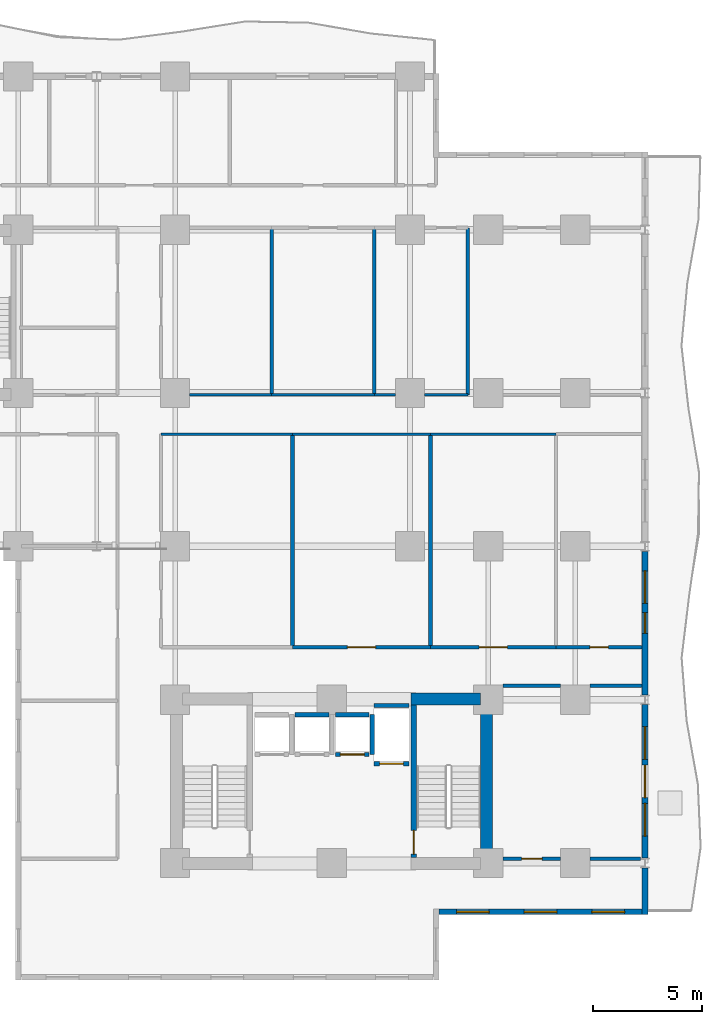
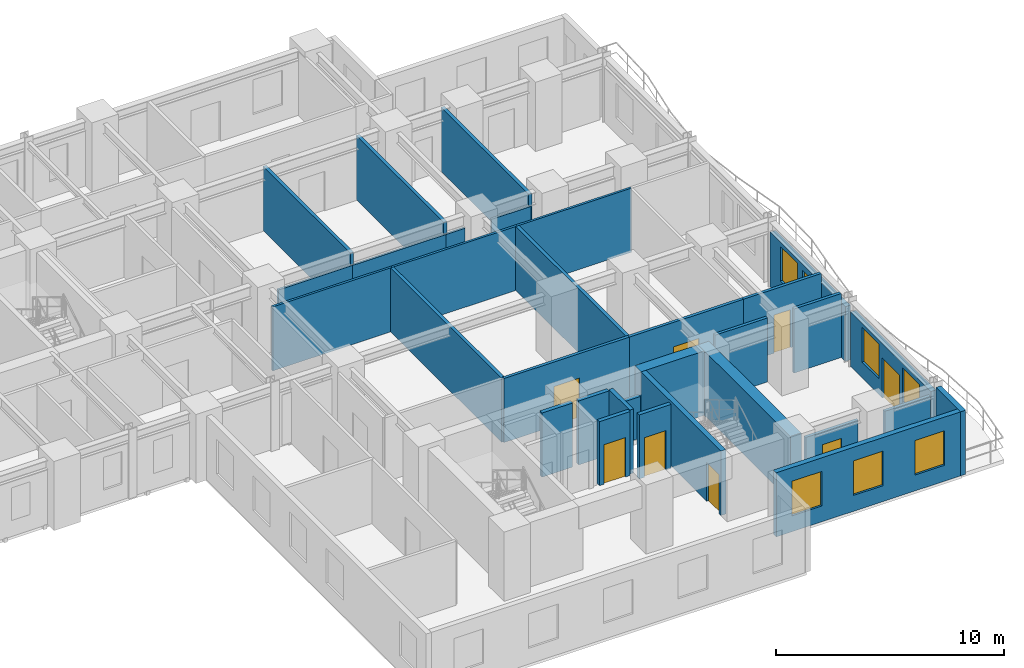
# One storey, part 5 of 11: 32 walls, 8 doors, 7 windows, 15 openings.
"""IFC4 building model written with IfcOpenShell, lengths in metres."""

import ifcopenshell
import ifcopenshell.guid

model = None  # the IFC model being written
_history = None  # IfcOwnerHistory: only IFC2X3 demands one
_inside = {}  # id of a spatial element -> (the spatial element, [elements in it])
_under = {}  # id of a project, library or spatial element -> (it, [spatial elements below it])
_declared = {}  # id of a project -> (the project, [libraries it declares])
_typed = {}  # id of a type object -> (the type object, [elements of that type])
_made_of = {}  # id of a material, layer set ... -> (it, [elements and type objects made of it])


def new_model(schema):
    """Start an empty IFC model of exactly this schema.

    Asked for "IFC4X3", IfcOpenShell would pick the latest addendum, in which some entities
    have other attributes; the version numbers below select the first issue.
    IFC2X3 requires an IfcOwnerHistory on every rooted entity: one is made here for all.
    """
    global model, _history
    if schema == "IFC4X3":
        model = ifcopenshell.file(schema_version=(4, 3, 0, 0))
    else:
        model = ifcopenshell.file(schema=schema)
    _inside.clear()
    _under.clear()
    _declared.clear()
    _typed.clear()
    _made_of.clear()
    _history = None
    if model.schema == "IFC2X3":
        org = make("IfcOrganization", Name="unknown")
        user = make(
            "IfcPersonAndOrganization",
            ThePerson=make("IfcPerson", FamilyName="unknown"),
            TheOrganization=org,
        )
        app = make(
            "IfcApplication",
            ApplicationDeveloper=org,
            Version="unknown",
            ApplicationFullName="unknown",
            ApplicationIdentifier="unknown",
        )
        _history = make(
            "IfcOwnerHistory",
            OwningUser=user,
            OwningApplication=app,
            ChangeAction="ADDED",
            CreationDate=0,
        )
    return model


def make(cls, **values):
    """One entity of the class cls with the attributes given. An attribute that is None is left unset."""
    return model.create_entity(
        cls, **{name: value for name, value in values.items() if value is not None}
    )


def rooted(cls, **values):
    """An entity with a GlobalId (a new one), such as an element, a storey or a relation."""
    return make(cls, GlobalId=ifcopenshell.guid.new(), OwnerHistory=_history, **values)


def si_unit(unit_type, name, prefix=None):
    """IfcSIUnit, for example si_unit("LENGTHUNIT", "METRE", prefix="MILLI")."""
    return make("IfcSIUnit", UnitType=unit_type, Prefix=prefix, Name=name)


def assignment(units):
    """IfcUnitAssignment: the units of a project."""
    return None if units is None else make("IfcUnitAssignment", Units=units)


def point(xyz):
    """IfcCartesianPoint."""
    return None if xyz is None else make("IfcCartesianPoint", Coordinates=xyz)


def direction(xyz):
    """IfcDirection."""
    return None if xyz is None else make("IfcDirection", DirectionRatios=xyz)


def frame(location, z_axis=None, x_axis=None):
    """IfcAxis2Placement3D, a coordinate frame: its origin and axes. An axis left out is left unset."""
    return make(
        "IfcAxis2Placement3D",
        Location=point(location),
        Axis=direction(z_axis),
        RefDirection=direction(x_axis),
    )


def frame_2d(location, x_axis=None):
    """IfcAxis2Placement2D, a coordinate frame in the plane: its origin and x axis."""
    return make(
        "IfcAxis2Placement2D", Location=point(location), RefDirection=direction(x_axis)
    )


def origin():
    """The frame at (0, 0, 0) with its axes left unset."""
    return frame((0.0, 0.0, 0.0))


def place(relative_to, where):
    """IfcLocalPlacement: puts the frame where relative to a parent placement (None: the world)."""
    return make(
        "IfcLocalPlacement", PlacementRelTo=relative_to, RelativePlacement=where
    )


def context(
    kind, dimensions, precision=None, world=None, true_north=None, identifier=None
):
    """IfcGeometricRepresentationContext, for example the 3D "Model" context."""
    return make(
        "IfcGeometricRepresentationContext",
        ContextIdentifier=identifier,
        ContextType=kind,
        CoordinateSpaceDimension=dimensions,
        Precision=precision,
        WorldCoordinateSystem=world,
        TrueNorth=true_north,
    )


def subcontext(parent, identifier, kind, view, scale=None):
    """IfcGeometricRepresentationSubContext, for example "Body" below "Model"."""
    return make(
        "IfcGeometricRepresentationSubContext",
        ContextIdentifier=identifier,
        ContextType=kind,
        ParentContext=parent,
        TargetScale=scale,
        TargetView=view,
    )


def project(units=None, contexts=None):
    """IfcProject with its units and contexts."""
    return rooted(
        "IfcProject",
        Name="project",
        RepresentationContexts=contexts,
        UnitsInContext=assignment(units),
    )


def spatial(cls, under=None, at=None, **own):
    """A site, building, storey or space (cls), placed at a placement, below another one or the project."""
    s = rooted(cls, ObjectPlacement=at, **own)
    if under is not None:
        _under.setdefault(under.id(), (under, []))[1].append(s)
    return s


def profile(cls, at=None, kind="AREA", **sizes):
    """A parametric profile (cls). Its sizes go by their IFC names, for example OverallWidth=200.0."""
    return make(cls, ProfileType=kind, Position=at, **sizes)


def rectangle(**sizes):
    """IfcRectangleProfileDef."""
    return profile("IfcRectangleProfileDef", **sizes)


def extrude(swept, where, along, depth):
    """IfcExtrudedAreaSolid: the profile swept, set in the frame where, extruded along a direction by depth."""
    return make(
        "IfcExtrudedAreaSolid",
        SweptArea=swept,
        Position=where,
        ExtrudedDirection=direction(along),
        Depth=depth,
    )


def shape(context_of_items, identifier, shape_type, items):
    """IfcShapeRepresentation: the items that make up one representation, for example the "Body"."""
    return make(
        "IfcShapeRepresentation",
        ContextOfItems=context_of_items,
        RepresentationIdentifier=identifier,
        RepresentationType=shape_type,
        Items=items,
    )


def material(Name=None, Category=None):
    """IfcMaterial."""
    return make("IfcMaterial", Name=Name, Category=Category)


def layer(
    of_material, thickness, ventilated=None, Name=None, Category=None, Priority=None
):
    """IfcMaterialLayer: one layer of a wall or slab, of a material (None: an air gap)."""
    return make(
        "IfcMaterialLayer",
        Material=of_material,
        LayerThickness=thickness,
        IsVentilated=ventilated,
        Name=Name,
        Category=Category,
        Priority=Priority,
    )


def layer_set(layers, Name=None):
    """IfcMaterialLayerSet."""
    return make("IfcMaterialLayerSet", MaterialLayers=layers, LayerSetName=Name)


def made_of(thing, what):
    """Note that an element or type object is made of a material, layer set ...; save() writes the relation."""
    if what is not None:
        _made_of.setdefault(what.id(), (what, []))[1].append(thing)
    return thing


def type_object(cls, material=None, **own):
    """A type object (cls), such as IfcWallType, which elements share."""
    return made_of(rooted(cls, **own), material)


def element(
    cls,
    number,
    at=None,
    inside=None,
    cuts=None,
    type_object=None,
    material=None,
    context=None,
    identifier="Body",
    shape_type=None,
    held_by="IfcProductDefinitionShape",
    body=None,
    shapes=None,
    **own,
):
    """One element of the class cls, such as IfcWall. Its Tag is "e" and its number.

    at: its placement. inside: the storey or other place that contains it. cuts: it is an
    opening in that element (IfcRelVoidsElement). A single representation is given by context,
    identifier, shape_type and body (its items); several are given by shapes. held_by: the class
    of the entity that holds the representations. save() writes the other relations.
    """
    e = rooted(cls, Tag="e%d" % number, ObjectPlacement=at, **own)
    if body is not None:
        shapes = [shape(context, identifier, shape_type, body)]
    if shapes is not None:
        e.Representation = make(held_by, Representations=shapes)
    if inside is not None:
        _inside.setdefault(inside.id(), (inside, []))[1].append(e)
    if cuts is not None:
        rooted(
            "IfcRelVoidsElement", RelatingBuildingElement=cuts, RelatedOpeningElement=e
        )
    if type_object is not None:
        _typed.setdefault(type_object.id(), (type_object, []))[1].append(e)
    return made_of(e, material)


def fill(opening, filler):
    """IfcRelFillsElement: the door or window that sits in an opening."""
    return rooted(
        "IfcRelFillsElement",
        RelatingOpeningElement=opening,
        RelatedBuildingElement=filler,
    )


def aggregate(whole, parts):
    """IfcRelAggregates: a whole, such as a stair, and the parts it consists of."""
    return rooted("IfcRelAggregates", RelatingObject=whole, RelatedObjects=parts)


def save(model, path):
    """Write the relations noted so far, then the file.

    IfcRelAggregates (storeys below a building ...), IfcRelContainedInSpatialStructure (elements
    in a storey), IfcRelDefinesByType, IfcRelAssociatesMaterial and IfcRelDeclares: one each for
    every whole, place, type object, material and project.
    """
    for whole, parts in _under.values():
        aggregate(whole, parts)
    for where, things in _inside.values():
        rooted(
            "IfcRelContainedInSpatialStructure",
            RelatedElements=things,
            RelatingStructure=where,
        )
    for kind, things in _typed.values():
        rooted("IfcRelDefinesByType", RelatedObjects=things, RelatingType=kind)
    for what, things in _made_of.values():
        rooted("IfcRelAssociatesMaterial", RelatedObjects=things, RelatingMaterial=what)
    for by, libraries in _declared.values():
        rooted("IfcRelDeclares", RelatingContext=by, RelatedDefinitions=libraries)
    model.write(path)


model = new_model("IFC4")

# Units and contexts
model_context = context("Model", 3, precision=1e-05, world=origin(), true_north=direction((0.0, 1.0)))
body_context = subcontext(model_context, "Body", "Model", "MODEL_VIEW")
ifc_project = project(units=[si_unit("LENGTHUNIT", "METRE"), si_unit("AREAUNIT", "SQUARE_METRE"), si_unit("VOLUMEUNIT", "CUBIC_METRE"), si_unit("PLANEANGLEUNIT", "RADIAN"), si_unit("MASSUNIT", "GRAM", prefix="KILO")], contexts=[model_context])

# Site, building, storey
site_placement = place(None, origin())
site = spatial("IfcSite", under=ifc_project, at=site_placement, CompositionType="ELEMENT")
building_placement = place(site_placement, origin())
building = spatial("IfcBuilding", under=site, at=building_placement, Name="Kaliganga Portal Commons", CompositionType="ELEMENT")
storey_placement = place(building_placement, frame((0.0, 0.0, 66.0)))
storey = spatial("IfcBuildingStorey", under=building, at=storey_placement, Name="L16", CompositionType="ELEMENT", Elevation=66.0)

# Walls
ifc_material_1 = material(Name="Concrete C60/75", Category="concrete")
ifc_layer_1 = layer(ifc_material_1, 0.550048828125)
ifc_layer_set_1 = layer_set([ifc_layer_1], Name="Concrete C60/75")
wall_type_1 = type_object("IfcWallType", Name="WL-CORE-550", PredefinedType="SHEAR", material=ifc_layer_set_1)
wall_1_placement = place(storey_placement, frame((50.324951171875, 6.75, 0.0), z_axis=(0.0, 0.0, 1.0), x_axis=(0.0, 1.0, 0.0)))
element("IfcWall", 1, at=wall_1_placement, inside=storey, type_object=wall_type_1, Name="Core B East Shear Wall L16", PredefinedType="SHEAR", context=body_context, shape_type="SweptSolid", body=[
    extrude(rectangle(XDim=8.10009765625, YDim=0.550048828125, at=frame_2d((4.050048828125, 0.0))), origin(), (0.0, 0.0, 1.0), 3.449951171875),
])
wall_2_placement = place(storey_placement, frame((46.85009765625, 14.574951171875, 0.0), z_axis=(0.0, 0.0, 1.0), x_axis=(1.0, 0.0, 0.0)))
element("IfcWall", 2, at=wall_2_placement, inside=storey, type_object=wall_type_1, Name="Core B N-East Shear Wall L16", PredefinedType="SHEAR", context=body_context, shape_type="SweptSolid", body=[
    extrude(rectangle(XDim=3.199951171875, YDim=0.550048828125, at=frame_2d((1.60009765625, 0.0))), origin(), (0.0, 0.0, 1.0), 3.449951171875),
])

# Wall, openings, windows
ifc_material_2 = material(Name="Insulated Aluminium-Clad Spandrel Assembly", Category="aluminium")
ifc_layer_2 = layer(ifc_material_2, 0.260009765625)
ifc_layer_set_2 = layer_set([ifc_layer_2], Name="Insulated Aluminium-Clad Spandrel Assembly")
wall_type_2 = type_object("IfcWallType", Name="WL-EXT-SPAND-260", PredefinedType="STANDARD", material=ifc_layer_set_2)
wall_3_placement = place(storey_placement, frame((57.465087890625, 4.800048828125, 0.0), z_axis=(0.0, 0.0, 1.0), x_axis=(-1.0, 0.0, 0.0)))
wall_3 = element("IfcWall", 3, at=wall_3_placement, inside=storey, type_object=wall_type_2, Name="Exterior Envelope Wall L16 P1-E02-S1", PredefinedType="STANDARD", context=body_context, shape_type="SweptSolid", body=[
    extrude(rectangle(XDim=9.330078125, YDim=0.260009765625, at=frame_2d((4.6650390625, 0.0))), origin(), (0.0, 0.0, 1.0), 3.429931640625),
])
opening_1_placement = place(wall_3_placement, frame((0.804931640625, 0.0, 0.85009765625)))
opening_1 = element("IfcOpeningElement", 4, at=opening_1_placement, cuts=wall_3, Name="Opening W-02", PredefinedType="OPENING", context=body_context, shape_type="SweptSolid", body=[
    extrude(rectangle(XDim=1.5, YDim=1.85009765625, at=frame_2d((0.75, 0.925048828125))), frame((0.0, 0.14013671875, 0.0), z_axis=(0.0, -1.0, 0.0), x_axis=(1.0, 0.0, 0.0)), (0.0, 0.0, 1.0), 0.280029296875),
])
opening_2_placement = place(wall_3_placement, frame((3.9150390625, 0.0, 0.85009765625)))
opening_2 = element("IfcOpeningElement", 5, at=opening_2_placement, cuts=wall_3, Name="Opening W-02", PredefinedType="OPENING", context=body_context, shape_type="SweptSolid", body=[
    extrude(rectangle(XDim=1.5, YDim=1.85009765625, at=frame_2d((0.75, 0.925048828125))), frame((0.0, 0.14013671875, 0.0), z_axis=(0.0, -1.0, 0.0), x_axis=(1.0, 0.0, 0.0)), (0.0, 0.0, 1.0), 0.280029296875),
])
opening_3_placement = place(wall_3_placement, frame((7.02490234375, 0.0, 0.85009765625)))
opening_3 = element("IfcOpeningElement", 6, at=opening_3_placement, cuts=wall_3, Name="Opening W-02", PredefinedType="OPENING", context=body_context, shape_type="SweptSolid", body=[
    extrude(rectangle(XDim=1.5, YDim=1.85009765625, at=frame_2d((0.75, 0.925048828125))), frame((0.0, 0.14013671875, 0.0), z_axis=(0.0, -1.0, 0.0), x_axis=(1.0, 0.0, 0.0)), (0.0, 0.0, 1.0), 0.280029296875),
])
ifc_material_3 = material(Name="Thermally Broken Aluminium and Low-E Double Glazing", Category="aluminium")
window_type_1 = type_object("IfcWindowType", Name="WIN-STD-1500", PartitioningType="DOUBLE_PANEL_VERTICAL", PredefinedType="WINDOW", material=ifc_material_3)
window_1_placement = place(opening_1_placement, origin())
window_1 = element("IfcWindow", 7, at=window_1_placement, inside=storey, type_object=window_type_1, Name="Facade Window L16-P1E02S1-00", OverallHeight=1.85009765625, OverallWidth=1.5, PartitioningType="SINGLE_PANEL", PredefinedType="WINDOW", context=body_context, shape_type="SweptSolid", body=[
    extrude(rectangle(XDim=1.5, YDim=1.85009765625, at=frame_2d((0.75, 0.925048828125))), frame((0.0, 0.030029296875, 0.0), z_axis=(0.0, -1.0, 0.0), x_axis=(1.0, 0.0, 0.0)), (0.0, 0.0, 1.0), 0.06005859375),
])
fill(opening_1, window_1)
window_2_placement = place(opening_2_placement, origin())
window_2 = element("IfcWindow", 8, at=window_2_placement, inside=storey, type_object=window_type_1, Name="Facade Window L16-P1E02S1-01", OverallHeight=1.85009765625, OverallWidth=1.5, PartitioningType="SINGLE_PANEL", PredefinedType="WINDOW", context=body_context, shape_type="SweptSolid", body=[
    extrude(rectangle(XDim=1.5, YDim=1.85009765625, at=frame_2d((0.75, 0.925048828125))), frame((0.0, 0.030029296875, 0.0), z_axis=(0.0, -1.0, 0.0), x_axis=(1.0, 0.0, 0.0)), (0.0, 0.0, 1.0), 0.06005859375),
])
fill(opening_2, window_2)
window_3_placement = place(opening_3_placement, origin())
window_3 = element("IfcWindow", 9, at=window_3_placement, inside=storey, type_object=window_type_1, Name="Facade Window L16-P1E02S1-02", OverallHeight=1.85009765625, OverallWidth=1.5, PartitioningType="SINGLE_PANEL", PredefinedType="WINDOW", context=body_context, shape_type="SweptSolid", body=[
    extrude(rectangle(XDim=1.5, YDim=1.85009765625, at=frame_2d((0.75, 0.925048828125))), frame((0.0, 0.030029296875, 0.0), z_axis=(0.0, -1.0, 0.0), x_axis=(1.0, 0.0, 0.0)), (0.0, 0.0, 1.0), 0.06005859375),
])
fill(opening_3, window_3)

# Wall
wall_4_placement = place(storey_placement, frame((57.60009765625, 6.825927734375, 0.0), z_axis=(0.0, 0.0, 1.0), x_axis=(0.0, -1.0, 0.0)))
element("IfcWall", 10, at=wall_4_placement, inside=storey, type_object=wall_type_2, Name="Exterior Envelope Wall L16 P1-E03-S1", PredefinedType="STANDARD", context=body_context, shape_type="SweptSolid", body=[
    extrude(rectangle(XDim=2.156005859375, YDim=0.260009765625, at=frame_2d((1.078125, 0.0))), origin(), (0.0, 0.0, 1.0), 3.429931640625),
])

# Wall, openings, door, windows
wall_5_placement = place(storey_placement, frame((57.60009765625, 14.325927734375, 0.0), z_axis=(0.0, 0.0, 1.0), x_axis=(0.0, -1.0, 0.0)))
wall_5 = element("IfcWall", 11, at=wall_5_placement, inside=storey, type_object=wall_type_2, Name="Exterior Envelope Wall L16 P1-E03-S2", PredefinedType="STANDARD", context=body_context, shape_type="SweptSolid", body=[
    extrude(rectangle(XDim=7.052001953125, YDim=0.260009765625, at=frame_2d((3.52587890625, 0.0))), origin(), (0.0, 0.0, 1.0), 2.929931640625),
])
opening_4_placement = place(wall_5_placement, frame((2.77587890625, 0.0, 0.0)))
opening_4 = element("IfcOpeningElement", 12, at=opening_4_placement, cuts=wall_5, Name="Opening BD-01", PredefinedType="OPENING", context=body_context, shape_type="SweptSolid", body=[
    extrude(rectangle(XDim=1.5, YDim=2.14990234375, at=frame_2d((0.75, 1.074951171875))), frame((0.0, 0.14013671875, 0.0), z_axis=(0.0, -1.0, 0.0), x_axis=(1.0, 0.0, 0.0)), (0.0, 0.0, 1.0), 0.280029296875),
])
opening_5_placement = place(wall_5_placement, frame((1.012939453125, 0.0, 0.85009765625)))
opening_5 = element("IfcOpeningElement", 13, at=opening_5_placement, cuts=wall_5, Name="Opening W-02", PredefinedType="OPENING", context=body_context, shape_type="SweptSolid", body=[
    extrude(rectangle(XDim=1.5, YDim=1.85009765625, at=frame_2d((0.75, 0.925048828125))), frame((0.0, 0.14013671875, 0.0), z_axis=(0.0, -1.0, 0.0), x_axis=(1.0, 0.0, 0.0)), (0.0, 0.0, 1.0), 0.280029296875),
])
opening_6_placement = place(wall_5_placement, frame((4.5390625, 0.0, 0.85009765625)))
opening_6 = element("IfcOpeningElement", 14, at=opening_6_placement, cuts=wall_5, Name="Opening W-02", PredefinedType="OPENING", context=body_context, shape_type="SweptSolid", body=[
    extrude(rectangle(XDim=1.5, YDim=1.85009765625, at=frame_2d((0.75, 0.925048828125))), frame((0.0, 0.14013671875, 0.0), z_axis=(0.0, -1.0, 0.0), x_axis=(1.0, 0.0, 0.0)), (0.0, 0.0, 1.0), 0.280029296875),
])
ifc_material_4 = material(Name="Anodized Aluminium and Laminated Safety Glass", Category="aluminium")
door_type_1 = type_object("IfcDoorType", Name="DR-BALC-1500", OperationType="SLIDING_TO_LEFT", PredefinedType="DOOR", material=ifc_material_4)
door_1_placement = place(opening_4_placement, origin())
door_1 = element("IfcDoor", 15, at=door_1_placement, inside=storey, type_object=door_type_1, Name="Balcony Sliding Door L16 balc_east", OperationType="SLIDING_TO_LEFT", OverallHeight=2.14990234375, OverallWidth=1.5, PredefinedType="DOOR", context=body_context, shape_type="SweptSolid", body=[
    extrude(rectangle(XDim=1.5, YDim=2.14990234375, at=frame_2d((0.75, 1.074951171875))), frame((0.0, 0.02490234375, 0.0), z_axis=(0.0, -1.0, 0.0), x_axis=(1.0, 0.0, 0.0)), (0.0, 0.0, 1.0), 0.050048828125),
])
fill(opening_4, door_1)
window_4_placement = place(opening_5_placement, origin())
window_4 = element("IfcWindow", 16, at=window_4_placement, inside=storey, type_object=window_type_1, Name="Facade Window L16-P1E03S2-00", OverallHeight=1.85009765625, OverallWidth=1.5, PartitioningType="SINGLE_PANEL", PredefinedType="WINDOW", context=body_context, shape_type="SweptSolid", body=[
    extrude(rectangle(XDim=1.5, YDim=1.85009765625, at=frame_2d((0.75, 0.925048828125))), frame((0.0, 0.030029296875, 0.0), z_axis=(0.0, -1.0, 0.0), x_axis=(1.0, 0.0, 0.0)), (0.0, 0.0, 1.0), 0.06005859375),
])
fill(opening_5, window_4)
window_5_placement = place(opening_6_placement, origin())
window_5 = element("IfcWindow", 17, at=window_5_placement, inside=storey, type_object=window_type_1, Name="Facade Window L16-P1E03S2-01", OverallHeight=1.85009765625, OverallWidth=1.5, PartitioningType="SINGLE_PANEL", PredefinedType="WINDOW", context=body_context, shape_type="SweptSolid", body=[
    extrude(rectangle(XDim=1.5, YDim=1.85009765625, at=frame_2d((0.75, 0.925048828125))), frame((0.0, 0.030029296875, 0.0), z_axis=(0.0, -1.0, 0.0), x_axis=(1.0, 0.0, 0.0)), (0.0, 0.0, 1.0), 0.06005859375),
])
fill(opening_6, window_5)

# Wall, openings, windows
wall_6_placement = place(storey_placement, frame((57.60009765625, 21.3759765625, 0.0), z_axis=(0.0, 0.0, 1.0), x_axis=(0.0, -1.0, 0.0)))
wall_6 = element("IfcWall", 18, at=wall_6_placement, inside=storey, type_object=wall_type_2, Name="Exterior Envelope Wall L16 P1-E03-S3", PredefinedType="STANDARD", context=body_context, shape_type="SweptSolid", body=[
    extrude(rectangle(XDim=6.60205078125, YDim=0.260009765625, at=frame_2d((3.301025390625, 0.0))), origin(), (0.0, 0.0, 1.0), 2.929931640625),
])
opening_7_placement = place(wall_6_placement, frame((0.900390625, 0.0, 0.85009765625)))
opening_7 = element("IfcOpeningElement", 19, at=opening_7_placement, cuts=wall_6, Name="Opening W-02", PredefinedType="OPENING", context=body_context, shape_type="SweptSolid", body=[
    extrude(rectangle(XDim=1.5, YDim=1.85009765625, at=frame_2d((0.75, 0.925048828125))), frame((0.0, 0.14013671875, 0.0), z_axis=(0.0, -1.0, 0.0), x_axis=(1.0, 0.0, 0.0)), (0.0, 0.0, 1.0), 0.280029296875),
])
opening_8_placement = place(wall_6_placement, frame((2.825927734375, 0.0, 0.85009765625)))
opening_8 = element("IfcOpeningElement", 20, at=opening_8_placement, cuts=wall_6, Name="Opening W-04", PredefinedType="OPENING", context=body_context, shape_type="SweptSolid", body=[
    extrude(rectangle(XDim=0.949951171875, YDim=1.75, at=frame_2d((0.47509765625, 0.875))), frame((0.0, 0.14013671875, 0.0), z_axis=(0.0, -1.0, 0.0), x_axis=(1.0, 0.0, 0.0)), (0.0, 0.0, 1.0), 0.280029296875),
])
window_type_2 = type_object("IfcWindowType", Name="WIN-NARROW-950", PartitioningType="SINGLE_PANEL", PredefinedType="WINDOW", material=ifc_material_3)
window_6_placement = place(opening_8_placement, origin())
window_6 = element("IfcWindow", 21, at=window_6_placement, inside=storey, type_object=window_type_2, Name="Facade Window L16-P1E03S3-N0", OverallHeight=1.75, OverallWidth=0.949951171875, PartitioningType="SINGLE_PANEL", PredefinedType="WINDOW", context=body_context, shape_type="SweptSolid", body=[
    extrude(rectangle(XDim=0.949951171875, YDim=1.75, at=frame_2d((0.47509765625, 0.875))), frame((0.0, 0.030029296875, 0.0), z_axis=(0.0, -1.0, 0.0), x_axis=(1.0, 0.0, 0.0)), (0.0, 0.0, 1.0), 0.06005859375),
])
fill(opening_8, window_6)
window_7_placement = place(opening_7_placement, origin())
window_7 = element("IfcWindow", 22, at=window_7_placement, inside=storey, type_object=window_type_1, Name="Facade Window L16-P1E03S3-00", OverallHeight=1.85009765625, OverallWidth=1.5, PartitioningType="SINGLE_PANEL", PredefinedType="WINDOW", context=body_context, shape_type="SweptSolid", body=[
    extrude(rectangle(XDim=1.5, YDim=1.85009765625, at=frame_2d((0.75, 0.925048828125))), frame((0.0, 0.030029296875, 0.0), z_axis=(0.0, -1.0, 0.0), x_axis=(1.0, 0.0, 0.0)), (0.0, 0.0, 1.0), 0.06005859375),
])
fill(opening_7, window_7)

# Wall, opening, door
ifc_material_5 = material(Name="Fire-Rated Gypsum Board on Steel Stud", Category="steel")
ifc_layer_3 = layer(ifc_material_5, 0.14990234375)
ifc_layer_set_3 = layer_set([ifc_layer_3], Name="Fire-Rated Gypsum Board on Steel Stud")
wall_type_3 = type_object("IfcWallType", Name="WL-PART-CORR-150", PredefinedType="PARTITIONING", material=ifc_layer_set_3)
wall_7_placement = place(storey_placement, frame((51.074951171875, 7.239990234375, 0.0), z_axis=(0.0, 0.0, 1.0), x_axis=(1.0, 0.0, 0.0)))
wall_7 = element("IfcWall", 23, at=wall_7_placement, inside=storey, type_object=wall_type_3, Name="Interior Partition L16-015", PredefinedType="PARTITIONING", context=body_context, shape_type="SweptSolid", body=[
    extrude(rectangle(XDim=2.650146484375, YDim=0.14990234375, at=frame_2d((1.3251953125, 0.0))), origin(), (0.0, 0.0, 1.0), 2.780029296875),
])
opening_9_placement = place(wall_7_placement, frame((0.85009765625, 0.0, 0.0)))
opening_9 = element("IfcOpeningElement", 24, at=opening_9_placement, cuts=wall_7, Name="Opening UD-01", PredefinedType="OPENING", context=body_context, shape_type="SweptSolid", body=[
    extrude(rectangle(XDim=0.949951171875, YDim=2.10009765625, at=frame_2d((0.47509765625, 1.050048828125))), frame((0.0, 0.0849609375, 0.0), z_axis=(0.0, -1.0, 0.0), x_axis=(1.0, 0.0, 0.0)), (0.0, 0.0, 1.0), 0.169921875),
])
ifc_material_6 = material(Name="Solid-Core Timber Acoustic Fire Door", Category="wood")
door_type_2 = type_object("IfcDoorType", Name="DR-UNIT-950", OperationType="NOTDEFINED", PredefinedType="DOOR", material=ifc_material_6)
door_2_placement = place(opening_9_placement, origin())
door_2 = element("IfcDoor", 25, at=door_2_placement, inside=storey, type_object=door_type_2, Name="Interior Door L16-BE01", OperationType="SINGLE_SWING_RIGHT", OverallHeight=2.10009765625, OverallWidth=0.949951171875, PredefinedType="DOOR", context=body_context, shape_type="SweptSolid", body=[
    extrude(rectangle(XDim=0.949951171875, YDim=2.10009765625, at=frame_2d((0.47509765625, 1.050048828125))), frame((0.0, 0.02490234375, 0.0), z_axis=(0.0, -1.0, 0.0), x_axis=(1.0, 0.0, 0.0)), (0.0, 0.0, 1.0), 0.050048828125),
])
fill(opening_9, door_2)

# Walls
wall_8_placement = place(storey_placement, frame((55.074951171875, 7.239990234375, 0.0), z_axis=(0.0, 0.0, 1.0), x_axis=(1.0, 0.0, 0.0)))
element("IfcWall", 26, at=wall_8_placement, inside=storey, type_object=wall_type_3, Name="Interior Partition L16-016", PredefinedType="PARTITIONING", context=body_context, shape_type="SweptSolid", body=[
    extrude(rectangle(XDim=2.317138671875, YDim=0.14990234375, at=frame_2d((1.15869140625, 0.0))), origin(), (0.0, 0.0, 1.0), 2.780029296875),
])
wall_9_placement = place(storey_placement, frame((51.074951171875, 15.199951171875, 0.0), z_axis=(0.0, 0.0, 1.0), x_axis=(1.0, 0.0, 0.0)))
element("IfcWall", 27, at=wall_9_placement, inside=storey, type_object=wall_type_3, Name="Interior Partition L16-017", PredefinedType="PARTITIONING", context=body_context, shape_type="SweptSolid", body=[
    extrude(rectangle(XDim=2.650146484375, YDim=0.14990234375, at=frame_2d((1.3251953125, 0.0))), origin(), (0.0, 0.0, 1.0), 3.429931640625),
])
wall_10_placement = place(storey_placement, frame((55.074951171875, 15.199951171875, 0.0), z_axis=(0.0, 0.0, 1.0), x_axis=(1.0, 0.0, 0.0)))
element("IfcWall", 28, at=wall_10_placement, inside=storey, type_object=wall_type_3, Name="Interior Partition L16-018", PredefinedType="PARTITIONING", context=body_context, shape_type="SweptSolid", body=[
    extrude(rectangle(XDim=2.39306640625, YDim=0.14990234375, at=frame_2d((1.196533203125, 0.0))), origin(), (0.0, 0.0, 1.0), 3.429931640625),
])

# Wall, opening, door
wall_11_placement = place(storey_placement, frame((41.39990234375, 16.9599609375, 0.0), z_axis=(0.0, 0.0, 1.0), x_axis=(1.0, 0.0, 0.0)))
wall_11 = element("IfcWall", 29, at=wall_11_placement, inside=storey, type_object=wall_type_3, Name="Interior Partition L16-019", PredefinedType="PARTITIONING", context=body_context, shape_type="SweptSolid", body=[
    extrude(rectangle(XDim=6.340087890625, YDim=0.14990234375, at=frame_2d((3.169921875, 0.0))), origin(), (0.0, 0.0, 1.0), 3.429931640625),
])
opening_10_placement = place(wall_11_placement, frame((2.52001953125, 0.0, 0.0)))
opening_10 = element("IfcOpeningElement", 30, at=opening_10_placement, cuts=wall_11, Name="Opening RD-03", PredefinedType="OPENING", context=body_context, shape_type="SweptSolid", body=[
    extrude(rectangle(XDim=1.300048828125, YDim=2.1201171875, at=frame_2d((0.64990234375, 1.06005859375))), frame((0.0, 0.0849609375, 0.0), z_axis=(0.0, -1.0, 0.0), x_axis=(1.0, 0.0, 0.0)), (0.0, 0.0, 1.0), 0.169921875),
])
ifc_material_7 = material(Name="Glazed Timber Seminar Vision Door", Category="wood")
door_type_3 = type_object("IfcDoorType", Name="DR-STUDY-1300", OperationType="DOUBLE_DOOR_SINGLE_SWING", PredefinedType="DOOR", material=ifc_material_7)
door_3_placement = place(opening_10_placement, origin())
door_3 = element("IfcDoor", 31, at=door_3_placement, inside=storey, type_object=door_type_3, Name="Interior Door L16-BM02", OperationType="DOUBLE_DOOR_SINGLE_SWING", OverallHeight=2.1201171875, OverallWidth=1.300048828125, PredefinedType="DOOR", context=body_context, shape_type="SweptSolid", body=[
    extrude(rectangle(XDim=1.300048828125, YDim=2.1201171875, at=frame_2d((0.64990234375, 1.06005859375))), frame((0.0, 0.02490234375, 0.0), z_axis=(0.0, -1.0, 0.0), x_axis=(1.0, 0.0, 0.0)), (0.0, 0.0, 1.0), 0.050048828125),
])
fill(opening_10, door_3)

wall_12_placement = place(storey_placement, frame((47.739990234375, 16.9599609375, 0.0), z_axis=(0.0, 0.0, 1.0), x_axis=(1.0, 0.0, 0.0)))
wall_12 = element("IfcWall", 32, at=wall_12_placement, inside=storey, type_object=wall_type_3, Name="Interior Partition L16-023", PredefinedType="PARTITIONING", context=body_context, shape_type="SweptSolid", body=[
    extrude(rectangle(XDim=5.780029296875, YDim=0.14990234375, at=frame_2d((2.89013671875, 0.0))), origin(), (0.0, 0.0, 1.0), 3.429931640625),
])
opening_11_placement = place(wall_12_placement, frame((2.239990234375, 0.0, 0.0)))
opening_11 = element("IfcOpeningElement", 33, at=opening_11_placement, cuts=wall_12, Name="Opening RD-03", PredefinedType="OPENING", context=body_context, shape_type="SweptSolid", body=[
    extrude(rectangle(XDim=1.300048828125, YDim=2.1201171875, at=frame_2d((0.64990234375, 1.06005859375))), frame((0.0, 0.0849609375, 0.0), z_axis=(0.0, -1.0, 0.0), x_axis=(1.0, 0.0, 0.0)), (0.0, 0.0, 1.0), 0.169921875),
])
door_4_placement = place(opening_11_placement, origin())
door_4 = element("IfcDoor", 34, at=door_4_placement, inside=storey, type_object=door_type_3, Name="Interior Door L16-BM03", OperationType="DOUBLE_DOOR_SINGLE_SWING", OverallHeight=2.1201171875, OverallWidth=1.300048828125, PredefinedType="DOOR", context=body_context, shape_type="SweptSolid", body=[
    extrude(rectangle(XDim=1.300048828125, YDim=2.1201171875, at=frame_2d((0.64990234375, 1.06005859375))), frame((0.0, 0.02490234375, 0.0), z_axis=(0.0, -1.0, 0.0), x_axis=(1.0, 0.0, 0.0)), (0.0, 0.0, 1.0), 0.050048828125),
])
fill(opening_11, door_4)

wall_13_placement = place(storey_placement, frame((53.52001953125, 16.9599609375, 0.0), z_axis=(0.0, 0.0, 1.0), x_axis=(1.0, 0.0, 0.0)))
wall_13 = element("IfcWall", 35, at=wall_13_placement, inside=storey, type_object=wall_type_3, Name="Interior Partition L16-038", PredefinedType="PARTITIONING", context=body_context, shape_type="SweptSolid", body=[
    extrude(rectangle(XDim=3.947998046875, YDim=0.14990234375, at=frame_2d((1.97412109375, 0.0))), origin(), (0.0, 0.0, 1.0), 3.429931640625),
])
opening_12_placement = place(wall_13_placement, frame((1.549072265625, 0.0, 0.0)))
opening_12 = element("IfcOpeningElement", 36, at=opening_12_placement, cuts=wall_13, Name="Opening WD-01", PredefinedType="OPENING", context=body_context, shape_type="SweptSolid", body=[
    extrude(rectangle(XDim=0.85009765625, YDim=2.0400390625, at=frame_2d((0.425048828125, 1.02001953125))), frame((0.0, 0.0849609375, 0.0), z_axis=(0.0, -1.0, 0.0), x_axis=(1.0, 0.0, 0.0)), (0.0, 0.0, 1.0), 0.169921875),
])
ifc_material_8 = material(Name="Moisture-Resistant Laminate Timber Door", Category="wood")
door_type_4 = type_object("IfcDoorType", Name="DR-WET-850", OperationType="NOTDEFINED", PredefinedType="DOOR", material=ifc_material_8)
door_5_placement = place(opening_12_placement, origin())
door_5 = element("IfcDoor", 37, at=door_5_placement, inside=storey, type_object=door_type_4, Name="Interior Door L16-BM04", OperationType="SINGLE_SWING_RIGHT", OverallHeight=2.0400390625, OverallWidth=0.85009765625, PredefinedType="DOOR", context=body_context, shape_type="SweptSolid", body=[
    extrude(rectangle(XDim=0.85009765625, YDim=2.0400390625, at=frame_2d((0.425048828125, 1.02001953125))), frame((0.0, 0.02490234375, 0.0), z_axis=(0.0, -1.0, 0.0), x_axis=(1.0, 0.0, 0.0)), (0.0, 0.0, 1.0), 0.050048828125),
])
fill(opening_12, door_5)

# Walls
ifc_material_9 = material(Name="Moisture-Resistant Gypsum Partition", Category="gypsum")
ifc_layer_4 = layer(ifc_material_9, 0.114990234375)
ifc_layer_set_4 = layer_set([ifc_layer_4], Name="Moisture-Resistant Gypsum Partition")
wall_type_4 = type_object("IfcWallType", Name="WL-PART-ROOM-115", PredefinedType="PARTITIONING", material=ifc_layer_set_4)
wall_14_placement = place(storey_placement, frame((41.39990234375, 26.760009765625, 0.0), z_axis=(0.0, 0.0, 1.0), x_axis=(1.0, 0.0, 0.0)))
element("IfcWall", 38, at=wall_14_placement, inside=storey, type_object=wall_type_4, Name="Interior Partition L16-056", PredefinedType="PARTITIONING", context=body_context, shape_type="SweptSolid", body=[
    extrude(rectangle(XDim=6.340087890625, YDim=0.114990234375, at=frame_2d((3.169921875, 0.0))), origin(), (0.0, 0.0, 1.0), 3.429931640625),
])
wall_15_placement = place(storey_placement, frame((35.360107421875, 26.760009765625, 0.0), z_axis=(0.0, 0.0, 1.0), x_axis=(1.0, 0.0, 0.0)))
element("IfcWall", 39, at=wall_15_placement, inside=storey, type_object=wall_type_4, Name="Interior Partition L16-057", PredefinedType="PARTITIONING", context=body_context, shape_type="SweptSolid", body=[
    extrude(rectangle(XDim=6.039794921875, YDim=0.114990234375, at=frame_2d((3.02001953125, 0.0))), origin(), (0.0, 0.0, 1.0), 3.429931640625),
])
wall_16_placement = place(storey_placement, frame((47.739990234375, 26.760009765625, 0.0), z_axis=(0.0, 0.0, 1.0), x_axis=(1.0, 0.0, 0.0)))
element("IfcWall", 40, at=wall_16_placement, inside=storey, type_object=wall_type_4, Name="Interior Partition L16-058", PredefinedType="PARTITIONING", context=body_context, shape_type="SweptSolid", body=[
    extrude(rectangle(XDim=5.780029296875, YDim=0.114990234375, at=frame_2d((2.89013671875, 0.0))), origin(), (0.0, 0.0, 1.0), 3.429931640625),
])
wall_17_placement = place(storey_placement, frame((36.675048828125, 28.56005859375, 0.0), z_axis=(0.0, 0.0, 1.0), x_axis=(1.0, 0.0, 0.0)))
element("IfcWall", 41, at=wall_17_placement, inside=storey, type_object=wall_type_4, Name="Interior Partition L16-062", PredefinedType="PARTITIONING", context=body_context, shape_type="SweptSolid", body=[
    extrude(rectangle(XDim=3.764892578125, YDim=0.114990234375, at=frame_2d((1.88232421875, 0.0))), origin(), (0.0, 0.0, 1.0), 2.780029296875),
])
wall_18_placement = place(storey_placement, frame((40.43994140625, 28.56005859375, 0.0), z_axis=(0.0, 0.0, 1.0), x_axis=(1.0, 0.0, 0.0)))
element("IfcWall", 42, at=wall_18_placement, inside=storey, type_object=wall_type_4, Name="Interior Partition L16-073", PredefinedType="PARTITIONING", context=body_context, shape_type="SweptSolid", body=[
    extrude(rectangle(XDim=4.719970703125, YDim=0.114990234375, at=frame_2d((2.35986328125, 0.0))), origin(), (0.0, 0.0, 1.0), 2.780029296875),
])
wall_19_placement = place(storey_placement, frame((45.159912109375, 28.56005859375, 0.0), z_axis=(0.0, 0.0, 1.0), x_axis=(1.0, 0.0, 0.0)))
element("IfcWall", 43, at=wall_19_placement, inside=storey, type_object=wall_type_4, Name="Interior Partition L16-077", PredefinedType="PARTITIONING", context=body_context, shape_type="SweptSolid", body=[
    extrude(rectangle(XDim=0.965087890625, YDim=0.114990234375, at=frame_2d((0.482421875, 0.0))), origin(), (0.0, 0.0, 1.0), 2.780029296875),
])
wall_20_placement = place(storey_placement, frame((47.47509765625, 28.56005859375, 0.0), z_axis=(0.0, 0.0, 1.0), x_axis=(1.0, 0.0, 0.0)))
element("IfcWall", 44, at=wall_20_placement, inside=storey, type_object=wall_type_4, Name="Interior Partition L16-078", PredefinedType="PARTITIONING", context=body_context, shape_type="SweptSolid", body=[
    extrude(rectangle(XDim=1.98486328125, YDim=0.114990234375, at=frame_2d((0.992431640625, 0.0))), origin(), (0.0, 0.0, 1.0), 2.780029296875),
])
ifc_material_10 = material(Name="Twin-Stud Acoustic Gypsum Partition", Category="gypsum")
ifc_layer_5 = layer(ifc_material_10, 0.1650390625)
ifc_layer_set_5 = layer_set([ifc_layer_5], Name="Twin-Stud Acoustic Gypsum Partition")
wall_type_5 = type_object("IfcWallType", Name="WL-PART-UNIT-165", PredefinedType="PARTITIONING", material=ifc_layer_set_5)
for number, where, z_axis, x_axis, name in (
    (45, (41.39990234375, 16.9599609375, 0.0), (0.0, 0.0, 1.0), (0.0, 1.0, 0.0), "Interior Partition L16-048"),
    (46, (47.739990234375, 16.9599609375, 0.0), (0.0, 0.0, 1.0), (0.0, 1.0, 0.0), "Interior Partition L16-049"),
):
    element("IfcWall", number, at=place(storey_placement, frame(where, z_axis=z_axis, x_axis=x_axis)), inside=storey, type_object=wall_type_5, Name=name, PredefinedType="PARTITIONING", context=body_context, shape_type="SweptSolid", body=[
        extrude(rectangle(XDim=9.800048828125, YDim=0.1650390625, at=frame_2d((4.89990234375, 0.0))), origin(), (0.0, 0.0, 1.0), 3.429931640625),
    ])
for number, where, z_axis, x_axis, name in (
    (47, (40.43994140625, 28.56005859375, 0.0), (0.0, 0.0, 1.0), (0.0, 1.0, 0.0), "Interior Partition L16-053"),
    (48, (45.159912109375, 28.56005859375, 0.0), (0.0, 0.0, 1.0), (0.0, 1.0, 0.0), "Interior Partition L16-054"),
    (49, (49.4599609375, 28.56005859375, 0.0), (0.0, 0.0, 1.0), (0.0, 1.0, 0.0), "Interior Partition L16-055"),
):
    element("IfcWall", number, at=place(storey_placement, frame(where, z_axis=z_axis, x_axis=x_axis)), inside=storey, type_object=wall_type_5, Name=name, PredefinedType="PARTITIONING", context=body_context, shape_type="SweptSolid", body=[
        extrude(rectangle(XDim=7.679931640625, YDim=0.1650390625, at=frame_2d((3.83984375, 0.0))), origin(), (0.0, 0.0, 1.0), 3.429931640625),
    ])
ifc_material_11 = material(Name="Fire-Rated Shaftwall Masonry Assembly", Category="masonry")
ifc_layer_6 = layer(ifc_material_11, 0.199951171875)
ifc_layer_set_6 = layer_set([ifc_layer_6], Name="Fire-Rated Shaftwall Masonry Assembly")
wall_type_6 = type_object("IfcWallType", Name="WL-SHAFT-200", PredefinedType="PARTITIONING", material=ifc_layer_set_6)
wall_21_placement = place(storey_placement, frame((41.52490234375, 13.864990234375, 0.0), z_axis=(0.0, 0.0, 1.0), x_axis=(1.0, 0.0, 0.0)))
element("IfcWall", 50, at=wall_21_placement, inside=storey, type_object=wall_type_6, Name="Lift PL-B2 Hoistway Shaft Wall L16-N", PredefinedType="PARTITIONING", context=body_context, shape_type="SweptSolid", body=[
    extrude(rectangle(XDim=1.550048828125, YDim=0.199951171875, at=frame_2d((0.77490234375, 0.0))), origin(), (0.0, 0.0, 1.0), 3.429931640625),
])

# Wall, opening, door
wall_22_placement = place(storey_placement, frame((43.375, 12.034912109375, 0.0), z_axis=(0.0, 0.0, 1.0), x_axis=(1.0, 0.0, 0.0)))
wall_22 = element("IfcWall", 51, at=wall_22_placement, inside=storey, type_object=wall_type_6, Name="Lift SH-2 Hoistway Shaft Wall L16-S", PredefinedType="PARTITIONING", context=body_context, shape_type="SweptSolid", body=[
    extrude(rectangle(XDim=1.550048828125, YDim=0.199951171875, at=frame_2d((0.77490234375, 0.0))), origin(), (0.0, 0.0, 1.0), 3.429931640625),
])
opening_13_placement = place(wall_22_placement, frame((0.22509765625, 0.0, 0.0)))
opening_13 = element("IfcOpeningElement", 52, at=opening_13_placement, cuts=wall_22, Name="Opening LD-01", PredefinedType="OPENING", context=body_context, shape_type="SweptSolid", body=[
    extrude(rectangle(XDim=1.10009765625, YDim=2.1201171875, at=frame_2d((0.550048828125, 1.06005859375))), frame((0.0, 0.10986328125, 0.0), z_axis=(0.0, -1.0, 0.0), x_axis=(1.0, 0.0, 0.0)), (0.0, 0.0, 1.0), 0.219970703125),
])
ifc_material_12 = material(Name="Brushed Stainless Steel 316 Lift Landing Door", Category="steel")
door_type_5 = type_object("IfcDoorType", Name="DR-LIFT-1100", OperationType="SLIDING_TO_LEFT", PredefinedType="DOOR", material=ifc_material_12)
door_6_placement = place(opening_13_placement, origin())
door_6 = element("IfcDoor", 53, at=door_6_placement, inside=storey, type_object=door_type_5, Name="Lift SH-2 Sliding Landing Door L16", OperationType="SLIDING_TO_LEFT", OverallHeight=2.1201171875, OverallWidth=1.10009765625, PredefinedType="DOOR", context=body_context, shape_type="SweptSolid", body=[
    extrude(rectangle(XDim=1.10009765625, YDim=2.1201171875, at=frame_2d((0.550048828125, 1.06005859375))), frame((0.0, 0.02490234375, 0.0), z_axis=(0.0, -1.0, 0.0), x_axis=(1.0, 0.0, 0.0)), (0.0, 0.0, 1.0), 0.050048828125),
])
fill(opening_13, door_6)

# Walls
wall_23_placement = place(storey_placement, frame((43.375, 13.864990234375, 0.0), z_axis=(0.0, 0.0, 1.0), x_axis=(1.0, 0.0, 0.0)))
element("IfcWall", 54, at=wall_23_placement, inside=storey, type_object=wall_type_6, Name="Lift SH-2 Hoistway Shaft Wall L16-N", PredefinedType="PARTITIONING", context=body_context, shape_type="SweptSolid", body=[
    extrude(rectangle(XDim=1.550048828125, YDim=0.199951171875, at=frame_2d((0.77490234375, 0.0))), origin(), (0.0, 0.0, 1.0), 3.429931640625),
])
wall_24_placement = place(storey_placement, frame((45.06494140625, 12.034912109375, 0.0), z_axis=(0.0, 0.0, 1.0), x_axis=(0.0, 1.0, 0.0)))
element("IfcWall", 55, at=wall_24_placement, inside=storey, type_object=wall_type_6, Name="Lift SH-2 Hoistway Shaft Wall L16-E", PredefinedType="PARTITIONING", context=body_context, shape_type="SweptSolid", body=[
    extrude(rectangle(XDim=1.830078125, YDim=0.199951171875, at=frame_2d((0.9150390625, 0.0))), origin(), (0.0, 0.0, 1.0), 3.429931640625),
])

# Wall, opening, door
wall_25_placement = place(storey_placement, frame((45.14990234375, 11.610107421875, 0.0), z_axis=(0.0, 0.0, 1.0), x_axis=(1.0, 0.0, 0.0)))
wall_25 = element("IfcWall", 56, at=wall_25_placement, inside=storey, type_object=wall_type_6, Name="Lift SL-B1 Hoistway Shaft Wall L16-S", PredefinedType="PARTITIONING", context=body_context, shape_type="SweptSolid", body=[
    extrude(rectangle(XDim=1.60009765625, YDim=0.199951171875, at=frame_2d((0.800048828125, 0.0))), origin(), (0.0, 0.0, 1.0), 3.429931640625),
])
opening_14_placement = place(wall_25_placement, frame((0.25, 0.0, 0.0)))
opening_14 = element("IfcOpeningElement", 57, at=opening_14_placement, cuts=wall_25, Name="Opening LD-01", PredefinedType="OPENING", context=body_context, shape_type="SweptSolid", body=[
    extrude(rectangle(XDim=1.10009765625, YDim=2.1201171875, at=frame_2d((0.550048828125, 1.06005859375))), frame((0.0, 0.10986328125, 0.0), z_axis=(0.0, -1.0, 0.0), x_axis=(1.0, 0.0, 0.0)), (0.0, 0.0, 1.0), 0.219970703125),
])
door_7_placement = place(opening_14_placement, origin())
door_7 = element("IfcDoor", 58, at=door_7_placement, inside=storey, type_object=door_type_5, Name="Lift SL-B1 Sliding Landing Door L16", OperationType="SLIDING_TO_LEFT", OverallHeight=2.1201171875, OverallWidth=1.10009765625, PredefinedType="DOOR", context=body_context, shape_type="SweptSolid", body=[
    extrude(rectangle(XDim=1.10009765625, YDim=2.1201171875, at=frame_2d((0.550048828125, 1.06005859375))), frame((0.0, 0.02490234375, 0.0), z_axis=(0.0, -1.0, 0.0), x_axis=(1.0, 0.0, 0.0)), (0.0, 0.0, 1.0), 0.050048828125),
])
fill(opening_14, door_7)

# Wall
wall_26_placement = place(storey_placement, frame((45.14990234375, 14.2900390625, 0.0), z_axis=(0.0, 0.0, 1.0), x_axis=(1.0, 0.0, 0.0)))
element("IfcWall", 59, at=wall_26_placement, inside=storey, type_object=wall_type_6, Name="Lift SL-B1 Hoistway Shaft Wall L16-N", PredefinedType="PARTITIONING", context=body_context, shape_type="SweptSolid", body=[
    extrude(rectangle(XDim=1.60009765625, YDim=0.199951171875, at=frame_2d((0.800048828125, 0.0))), origin(), (0.0, 0.0, 1.0), 2.22998046875),
])

# Wall, opening, door
ifc_material_13 = material(Name="Concrete C50/60", Category="concrete")
ifc_layer_7 = layer(ifc_material_13, 0.25)
ifc_layer_set_7 = layer_set([ifc_layer_7], Name="Concrete C50/60")
wall_type_7 = type_object("IfcWallType", Name="WL-STAIR-250", PredefinedType="SHEAR", material=ifc_layer_set_7)
wall_27_placement = place(storey_placement, frame((46.97509765625, 7.300048828125, 0.0), z_axis=(0.0, 0.0, 1.0), x_axis=(0.0, 1.0, 0.0)))
wall_27 = element("IfcWall", 60, at=wall_27_placement, inside=storey, type_object=wall_type_7, Name="Stair B2 Enclosure Shear Wall L16", PredefinedType="SHEAR", context=body_context, shape_type="SweptSolid", body=[
    extrude(rectangle(XDim=7.0, YDim=0.25, at=frame_2d((3.5, 0.0))), origin(), (0.0, 0.0, 1.0), 3.449951171875),
])
opening_15_placement = place(wall_27_placement, frame((0.14990234375, 0.0, 0.0)))
opening_15 = element("IfcOpeningElement", 61, at=opening_15_placement, cuts=wall_27, Name="Opening SD-01", PredefinedType="OPENING", context=body_context, shape_type="SweptSolid", body=[
    extrude(rectangle(XDim=1.10009765625, YDim=2.080078125, at=frame_2d((0.550048828125, 1.0400390625))), frame((0.0, 0.135009765625, 0.0), z_axis=(0.0, -1.0, 0.0), x_axis=(1.0, 0.0, 0.0)), (0.0, 0.0, 1.0), 0.27001953125),
])
ifc_material_14 = material(Name="Galvanized Steel Fire Door Leaf and Frame", Category="steel")
door_type_6 = type_object("IfcDoorType", Name="DR-STAIR-1100", OperationType="NOTDEFINED", PredefinedType="DOOR", material=ifc_material_14)
door_8_placement = place(opening_15_placement, origin())
door_8 = element("IfcDoor", 62, at=door_8_placement, inside=storey, type_object=door_type_6, Name="Protected Stair ST-B2 Fire Door L16", OperationType="SINGLE_SWING_LEFT", OverallHeight=2.080078125, OverallWidth=1.10009765625, PredefinedType="DOOR", context=body_context, shape_type="SweptSolid", body=[
    extrude(rectangle(XDim=1.10009765625, YDim=2.080078125, at=frame_2d((0.550048828125, 1.0400390625))), frame((0.0, 0.02490234375, 0.0), z_axis=(0.0, -1.0, 0.0), x_axis=(1.0, 0.0, 0.0)), (0.0, 0.0, 1.0), 0.050048828125),
])
fill(opening_15, door_8)

save(model, "model.ifc")
